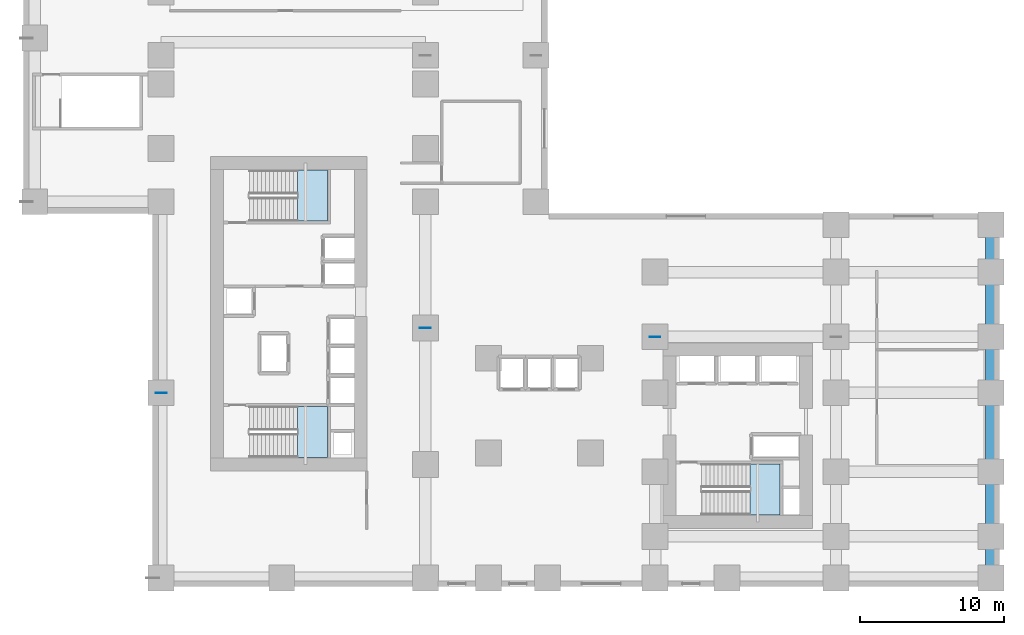
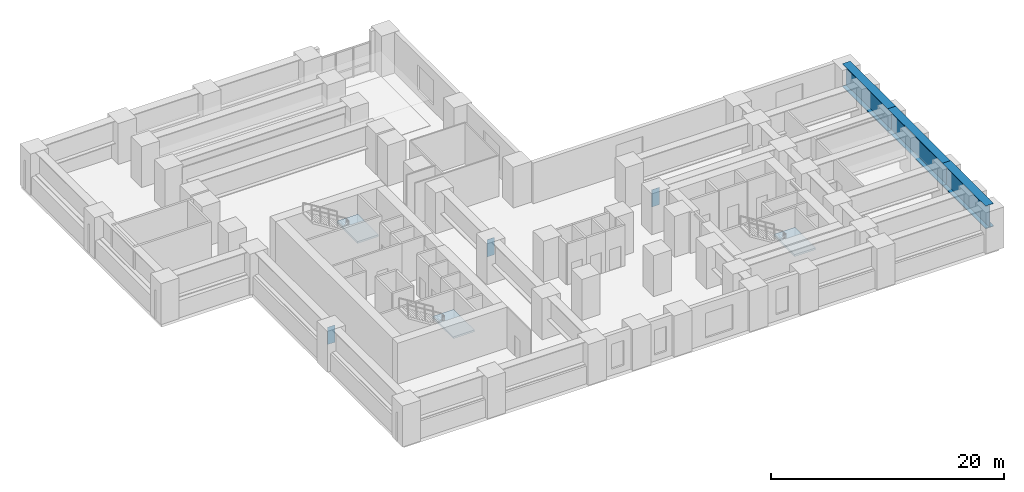
# One storey, part 3 of 12: 3 beams, 3 plates, 3 slabs, 3 elements without a shape of their own.
"""IFC4 building model written with IfcOpenShell, lengths in metres."""

from ifc_helpers import new_model, si_unit, direction, frame, origin, origin_2d, place, context, subcontext, project, spatial, polyline, rectangle, i_section, outline, extrude, source, transform, mapped, material, layer, layer_set, material_profile, profile_set, type_object, element, aggregate, save


model = new_model("IFC4")

# Units and contexts
model_context = context("Model", 3, precision=1e-05, world=origin(), true_north=direction((0.0, 1.0)))
body_context = subcontext(model_context, "Body", "Model", "MODEL_VIEW")
ifc_project = project(units=[si_unit("LENGTHUNIT", "METRE"), si_unit("AREAUNIT", "SQUARE_METRE"), si_unit("VOLUMEUNIT", "CUBIC_METRE"), si_unit("PLANEANGLEUNIT", "RADIAN"), si_unit("MASSUNIT", "GRAM", prefix="KILO")], contexts=[model_context])

# Site, building, storey
site_placement = place(None, origin())
site = spatial("IfcSite", under=ifc_project, at=site_placement, CompositionType="ELEMENT")
building_placement = place(site_placement, origin())
building = spatial("IfcBuilding", under=site, at=building_placement, Name="Kharzan Plaza Tower", CompositionType="ELEMENT")
storey_placement = place(building_placement, frame((0.0, 0.0, 18.0)))
storey = spatial("IfcBuildingStorey", under=building, at=storey_placement, Name="L04", CompositionType="ELEMENT", Elevation=18.0)

# Beams
ifc_material_1 = material(Name="Steel S355", Category="steel")
ifc_material_profile = material_profile(ifc_material_1, i_section(OverallWidth=0.800048828125, OverallDepth=2.39990234375, WebThickness=0.0400390625, FlangeThickness=0.070068359375, at=origin_2d()), Name="PG2400x800")
ifc_profile_set = profile_set([ifc_material_profile], Name="Steel S355")
beam_type = type_object("IfcBeamType", Name="BM-TG2400", PredefinedType="BEAM", material=ifc_profile_set)
shared_shape_1 = source(origin(), body_context, "Body", "SweptSolid", [
    extrude(i_section(OverallWidth=0.800048828125, OverallDepth=2.39990234375, WebThickness=0.0400390625, FlangeThickness=0.070068359375, at=origin_2d()), origin(), (0.0, 0.0, 1.0), 7.39990234375),
])
beam_1_placement = place(storey_placement, frame((58.39990234375, 0.60009765625, 3.080078125), z_axis=(0.0, 1.0, 0.0), x_axis=(-1.0, 0.0, 0.0)))
element("IfcBeam", 1, at=beam_1_placement, inside=storey, type_object=beam_type, Name="L04 L04 Composite Transfer Girder TG-E1", PredefinedType="BEAM", context=body_context, shape_type="MappedRepresentation", body=[
    mapped(shared_shape_1, transform((0.0, 0.0, 0.0), x_axis=(1.0, 0.0, 0.0), y_axis=(0.0, 1.0, 0.0), z_axis=(0.0, 0.0, 1.0))),
])
shared_shape_2 = source(origin(), body_context, "Body", "SweptSolid", [
    extrude(i_section(OverallWidth=0.800048828125, OverallDepth=2.39990234375, WebThickness=0.0400390625, FlangeThickness=0.070068359375, at=origin_2d()), origin(), (0.0, 0.0, 1.0), 9.39990234375),
])
beam_2_placement = place(storey_placement, frame((58.39990234375, 8.0, 3.080078125), z_axis=(0.0, 1.0, 0.0), x_axis=(-1.0, 0.0, 0.0)))
element("IfcBeam", 2, at=beam_2_placement, inside=storey, type_object=beam_type, Name="L04 L04 Composite Transfer Girder TG-E2", PredefinedType="BEAM", context=body_context, shape_type="MappedRepresentation", body=[
    mapped(shared_shape_2, transform((0.0, 0.0, 0.0), x_axis=(1.0, 0.0, 0.0), y_axis=(0.0, 1.0, 0.0), z_axis=(0.0, 0.0, 1.0))),
])
shared_shape_3 = source(origin(), body_context, "Body", "SweptSolid", [
    extrude(i_section(OverallWidth=0.800048828125, OverallDepth=2.39990234375, WebThickness=0.0400390625, FlangeThickness=0.070068359375, at=origin_2d()), origin(), (0.0, 0.0, 1.0), 7.800048828125),
])
beam_3_placement = place(storey_placement, frame((58.39990234375, 17.39990234375, 3.080078125), z_axis=(0.0, 1.0, 0.0), x_axis=(-1.0, 0.0, 0.0)))
element("IfcBeam", 3, at=beam_3_placement, inside=storey, type_object=beam_type, Name="L04 L04 Composite Transfer Girder TG-E3", PredefinedType="BEAM", context=body_context, shape_type="MappedRepresentation", body=[
    mapped(shared_shape_3, transform((0.0, 0.0, 0.0), x_axis=(1.0, 0.0, 0.0), y_axis=(0.0, 1.0, 0.0), z_axis=(0.0, 0.0, 1.0))),
])

# Stair, slab
ifc_material_2 = material(Name="Concrete C40/50", Category="concrete")
stair_type_1 = type_object("IfcStairType", Name="STR-ST-1", PredefinedType="HALF_TURN_STAIR", material=ifc_material_2)
stair_1_placement = place(storey_placement, origin())
stair_1 = element("IfcStair", 4, at=stair_1_placement, inside=storey, type_object=stair_type_1, Name="L04 Protected Exit Stair ST-1", PredefinedType="HALF_TURN_STAIR")
ifc_layer_1 = layer(ifc_material_2, 0.219970703125)
ifc_layer_set_1 = layer_set([ifc_layer_1], Name="Concrete C40/50")
slab_type = type_object("IfcSlabType", Name="SL-LANDING-220", PredefinedType="LANDING", material=ifc_layer_set_1)
slab_1_placement = place(storey_placement, frame((0.0, 0.0, 2.050048828125)))
slab_1 = element("IfcSlab", 5, at=slab_1_placement, type_object=slab_type, Name="ST-1 landing 1", PredefinedType="LANDING", context=body_context, shape_type="SweptSolid", body=[
    extrude(outline(polyline([(10.110107421875, 9.0), (12.199951171875, 9.0), (12.199951171875, 12.550048828125), (10.110107421875, 12.550048828125), (10.110107421875, 9.0)])), origin(), (0.0, 0.0, 1.0), 0.199951171875),
])
aggregate(stair_1, [slab_1])

stair_type_2 = type_object("IfcStairType", Name="STR-ST-2", PredefinedType="HALF_TURN_STAIR", material=ifc_material_2)
stair_2_placement = place(storey_placement, origin())
stair_2 = element("IfcStair", 6, at=stair_2_placement, inside=storey, type_object=stair_type_2, Name="L04 Protected Exit Stair ST-2", PredefinedType="HALF_TURN_STAIR")
slab_2_placement = place(storey_placement, frame((0.0, 0.0, 2.050048828125)))
slab_2 = element("IfcSlab", 7, at=slab_2_placement, type_object=slab_type, Name="ST-2 landing 1", PredefinedType="LANDING", context=body_context, shape_type="SweptSolid", body=[
    extrude(outline(polyline([(10.110107421875, 25.449951171875), (12.199951171875, 25.449951171875), (12.199951171875, 29.0), (10.110107421875, 29.0), (10.110107421875, 25.449951171875)])), origin(), (0.0, 0.0, 1.0), 0.199951171875),
])
aggregate(stair_2, [slab_2])

stair_type_3 = type_object("IfcStairType", Name="STR-ST-3", PredefinedType="HALF_TURN_STAIR", material=ifc_material_2)
stair_3_placement = place(storey_placement, origin())
stair_3 = element("IfcStair", 8, at=stair_3_placement, inside=storey, type_object=stair_type_3, Name="L04 Protected Exit Stair ST-3", PredefinedType="HALF_TURN_STAIR")
slab_3_placement = place(storey_placement, frame((0.0, 0.0, 2.050048828125)))
slab_3 = element("IfcSlab", 9, at=slab_3_placement, type_object=slab_type, Name="ST-3 landing 1", PredefinedType="LANDING", context=body_context, shape_type="SweptSolid", body=[
    extrude(outline(polyline([(41.610107421875, 5.0), (43.699951171875, 5.0), (43.699951171875, 8.550048828125), (41.610107421875, 8.550048828125), (41.610107421875, 5.0)])), origin(), (0.0, 0.0, 1.0), 0.199951171875),
])
aggregate(stair_3, [slab_3])

# Plates
ifc_material_3 = material(Name="Steel S460", Category="steel")
ifc_layer_2 = layer(ifc_material_3, 0.034912109375)
ifc_layer_set_2 = layer_set([ifc_layer_2], Name="Steel S460")
plate_type = type_object("IfcPlateType", Name="PLT-TGS1", PredefinedType="USERDEFINED", material=ifc_layer_set_2)
shared_shape_4 = source(origin(), body_context, "Body", "SweptSolid", [
    extrude(rectangle(XDim=0.75, YDim=0.034912109375, at=origin_2d()), origin(), (0.0, 0.0, 1.0), 1.800048828125),
])
for number, where, z_axis, x_axis, name in (
    (10, (0.60009765625, 13.5, 2.18017578125), (0.0, 0.0, 1.0), (1.0, 0.0, 0.0), "L04 Transfer Girder Stiffener Plate TGS1-1"),
    (11, (19.0, 18.0, 2.18017578125), (0.0, 0.0, 1.0), (1.0, 0.0, 0.0), "L04 Transfer Girder Stiffener Plate TGS1-2"),
    (12, (35.0, 17.39990234375, 2.18017578125), (0.0, 0.0, 1.0), (1.0, 0.0, 0.0), "L04 Transfer Girder Stiffener Plate TGS1-4"),
):
    element("IfcPlate", number, at=place(storey_placement, frame(where, z_axis=z_axis, x_axis=x_axis)), inside=storey, type_object=plate_type, Name=name, ObjectType="FLANGE_PLATE", PredefinedType="USERDEFINED", context=body_context, shape_type="MappedRepresentation", body=[
        mapped(shared_shape_4, transform((0.0, 0.0, 0.0), x_axis=(1.0, 0.0, 0.0), y_axis=(0.0, 1.0, 0.0), z_axis=(0.0, 0.0, 1.0))),
    ])

save(model, "model.ifc")
